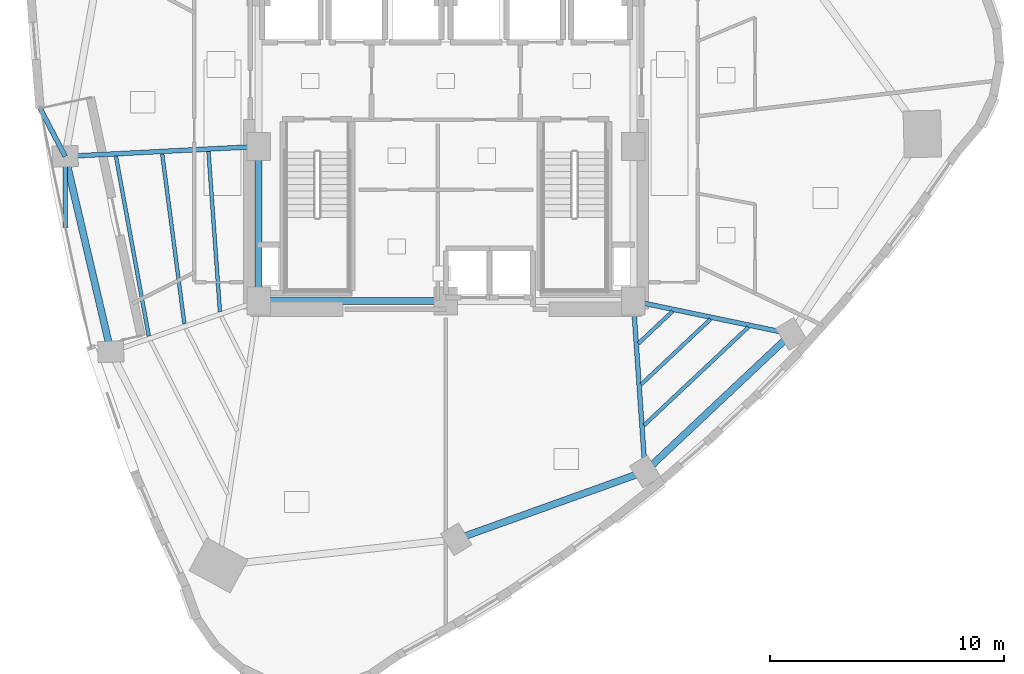
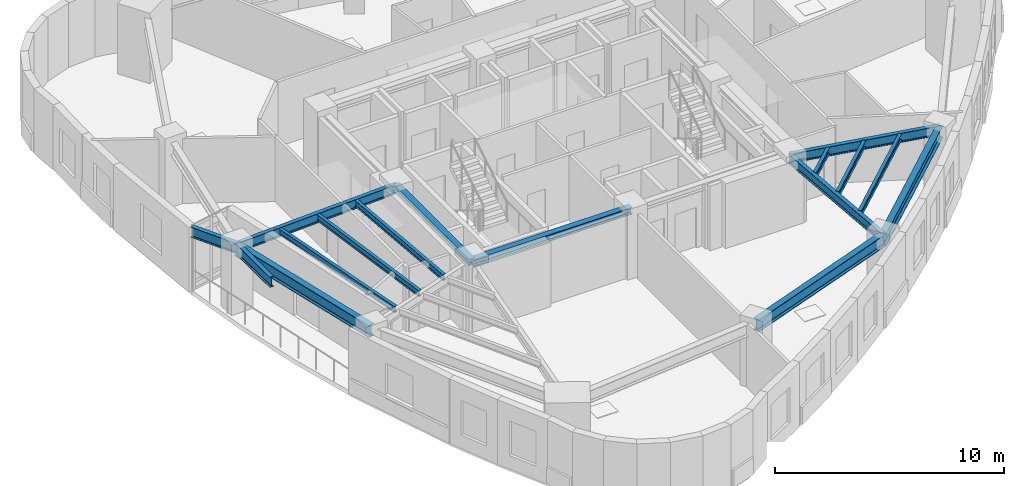
# One storey, part 3 of 12: 16 beams.
"""IFC4 building model written with IfcOpenShell, lengths in metres."""

import ifcopenshell
import ifcopenshell.guid

model = None  # the IFC model being written
_history = None  # IfcOwnerHistory: only IFC2X3 demands one
_inside = {}  # id of a spatial element -> (the spatial element, [elements in it])
_under = {}  # id of a project, library or spatial element -> (it, [spatial elements below it])
_declared = {}  # id of a project -> (the project, [libraries it declares])
_typed = {}  # id of a type object -> (the type object, [elements of that type])
_made_of = {}  # id of a material, layer set ... -> (it, [elements and type objects made of it])


def new_model(schema):
    """Start an empty IFC model of exactly this schema.

    Asked for "IFC4X3", IfcOpenShell would pick the latest addendum, in which some entities
    have other attributes; the version numbers below select the first issue.
    IFC2X3 requires an IfcOwnerHistory on every rooted entity: one is made here for all.
    """
    global model, _history
    if schema == "IFC4X3":
        model = ifcopenshell.file(schema_version=(4, 3, 0, 0))
    else:
        model = ifcopenshell.file(schema=schema)
    _inside.clear()
    _under.clear()
    _declared.clear()
    _typed.clear()
    _made_of.clear()
    _history = None
    if model.schema == "IFC2X3":
        org = make("IfcOrganization", Name="unknown")
        user = make(
            "IfcPersonAndOrganization",
            ThePerson=make("IfcPerson", FamilyName="unknown"),
            TheOrganization=org,
        )
        app = make(
            "IfcApplication",
            ApplicationDeveloper=org,
            Version="unknown",
            ApplicationFullName="unknown",
            ApplicationIdentifier="unknown",
        )
        _history = make(
            "IfcOwnerHistory",
            OwningUser=user,
            OwningApplication=app,
            ChangeAction="ADDED",
            CreationDate=0,
        )
    return model


def make(cls, **values):
    """One entity of the class cls with the attributes given. An attribute that is None is left unset."""
    return model.create_entity(
        cls, **{name: value for name, value in values.items() if value is not None}
    )


def rooted(cls, **values):
    """An entity with a GlobalId (a new one), such as an element, a storey or a relation."""
    return make(cls, GlobalId=ifcopenshell.guid.new(), OwnerHistory=_history, **values)


def si_unit(unit_type, name, prefix=None):
    """IfcSIUnit, for example si_unit("LENGTHUNIT", "METRE", prefix="MILLI")."""
    return make("IfcSIUnit", UnitType=unit_type, Prefix=prefix, Name=name)


def assignment(units):
    """IfcUnitAssignment: the units of a project."""
    return None if units is None else make("IfcUnitAssignment", Units=units)


def point(xyz):
    """IfcCartesianPoint."""
    return None if xyz is None else make("IfcCartesianPoint", Coordinates=xyz)


def direction(xyz):
    """IfcDirection."""
    return None if xyz is None else make("IfcDirection", DirectionRatios=xyz)


def frame(location, z_axis=None, x_axis=None):
    """IfcAxis2Placement3D, a coordinate frame: its origin and axes. An axis left out is left unset."""
    return make(
        "IfcAxis2Placement3D",
        Location=point(location),
        Axis=direction(z_axis),
        RefDirection=direction(x_axis),
    )


def frame_2d(location, x_axis=None):
    """IfcAxis2Placement2D, a coordinate frame in the plane: its origin and x axis."""
    return make(
        "IfcAxis2Placement2D", Location=point(location), RefDirection=direction(x_axis)
    )


def origin():
    """The frame at (0, 0, 0) with its axes left unset."""
    return frame((0.0, 0.0, 0.0))


def origin_2d():
    """The frame at (0, 0) in the plane with its x axis left unset."""
    return frame_2d((0.0, 0.0))


def place(relative_to, where):
    """IfcLocalPlacement: puts the frame where relative to a parent placement (None: the world)."""
    return make(
        "IfcLocalPlacement", PlacementRelTo=relative_to, RelativePlacement=where
    )


def context(
    kind, dimensions, precision=None, world=None, true_north=None, identifier=None
):
    """IfcGeometricRepresentationContext, for example the 3D "Model" context."""
    return make(
        "IfcGeometricRepresentationContext",
        ContextIdentifier=identifier,
        ContextType=kind,
        CoordinateSpaceDimension=dimensions,
        Precision=precision,
        WorldCoordinateSystem=world,
        TrueNorth=true_north,
    )


def subcontext(parent, identifier, kind, view, scale=None):
    """IfcGeometricRepresentationSubContext, for example "Body" below "Model"."""
    return make(
        "IfcGeometricRepresentationSubContext",
        ContextIdentifier=identifier,
        ContextType=kind,
        ParentContext=parent,
        TargetScale=scale,
        TargetView=view,
    )


def project(units=None, contexts=None):
    """IfcProject with its units and contexts."""
    return rooted(
        "IfcProject",
        Name="project",
        RepresentationContexts=contexts,
        UnitsInContext=assignment(units),
    )


def spatial(cls, under=None, at=None, **own):
    """A site, building, storey or space (cls), placed at a placement, below another one or the project."""
    s = rooted(cls, ObjectPlacement=at, **own)
    if under is not None:
        _under.setdefault(under.id(), (under, []))[1].append(s)
    return s


def profile(cls, at=None, kind="AREA", **sizes):
    """A parametric profile (cls). Its sizes go by their IFC names, for example OverallWidth=200.0."""
    return make(cls, ProfileType=kind, Position=at, **sizes)


def i_section(**sizes):
    """IfcIShapeProfileDef."""
    return profile("IfcIShapeProfileDef", **sizes)


def extrude(swept, where, along, depth):
    """IfcExtrudedAreaSolid: the profile swept, set in the frame where, extruded along a direction by depth."""
    return make(
        "IfcExtrudedAreaSolid",
        SweptArea=swept,
        Position=where,
        ExtrudedDirection=direction(along),
        Depth=depth,
    )


def shape(context_of_items, identifier, shape_type, items):
    """IfcShapeRepresentation: the items that make up one representation, for example the "Body"."""
    return make(
        "IfcShapeRepresentation",
        ContextOfItems=context_of_items,
        RepresentationIdentifier=identifier,
        RepresentationType=shape_type,
        Items=items,
    )


def material(Name=None, Category=None):
    """IfcMaterial."""
    return make("IfcMaterial", Name=Name, Category=Category)


def material_profile(
    of_material, cross_section, Name=None, Category=None, Priority=None
):
    """IfcMaterialProfile: a cross section and its material."""
    return make(
        "IfcMaterialProfile",
        Name=Name,
        Material=of_material,
        Profile=cross_section,
        Priority=Priority,
        Category=Category,
    )


def profile_set(profiles, Name=None, composite=None):
    """IfcMaterialProfileSet."""
    return make(
        "IfcMaterialProfileSet",
        Name=Name,
        MaterialProfiles=profiles,
        CompositeProfile=composite,
    )


def made_of(thing, what):
    """Note that an element or type object is made of a material, layer set ...; save() writes the relation."""
    if what is not None:
        _made_of.setdefault(what.id(), (what, []))[1].append(thing)
    return thing


def type_object(cls, material=None, **own):
    """A type object (cls), such as IfcWallType, which elements share."""
    return made_of(rooted(cls, **own), material)


def element(
    cls,
    number,
    at=None,
    inside=None,
    cuts=None,
    type_object=None,
    material=None,
    context=None,
    identifier="Body",
    shape_type=None,
    held_by="IfcProductDefinitionShape",
    body=None,
    shapes=None,
    **own,
):
    """One element of the class cls, such as IfcWall. Its Tag is "e" and its number.

    at: its placement. inside: the storey or other place that contains it. cuts: it is an
    opening in that element (IfcRelVoidsElement). A single representation is given by context,
    identifier, shape_type and body (its items); several are given by shapes. held_by: the class
    of the entity that holds the representations. save() writes the other relations.
    """
    e = rooted(cls, Tag="e%d" % number, ObjectPlacement=at, **own)
    if body is not None:
        shapes = [shape(context, identifier, shape_type, body)]
    if shapes is not None:
        e.Representation = make(held_by, Representations=shapes)
    if inside is not None:
        _inside.setdefault(inside.id(), (inside, []))[1].append(e)
    if cuts is not None:
        rooted(
            "IfcRelVoidsElement", RelatingBuildingElement=cuts, RelatedOpeningElement=e
        )
    if type_object is not None:
        _typed.setdefault(type_object.id(), (type_object, []))[1].append(e)
    return made_of(e, material)


def aggregate(whole, parts):
    """IfcRelAggregates: a whole, such as a stair, and the parts it consists of."""
    return rooted("IfcRelAggregates", RelatingObject=whole, RelatedObjects=parts)


def save(model, path):
    """Write the relations noted so far, then the file.

    IfcRelAggregates (storeys below a building ...), IfcRelContainedInSpatialStructure (elements
    in a storey), IfcRelDefinesByType, IfcRelAssociatesMaterial and IfcRelDeclares: one each for
    every whole, place, type object, material and project.
    """
    for whole, parts in _under.values():
        aggregate(whole, parts)
    for where, things in _inside.values():
        rooted(
            "IfcRelContainedInSpatialStructure",
            RelatedElements=things,
            RelatingStructure=where,
        )
    for kind, things in _typed.values():
        rooted("IfcRelDefinesByType", RelatedObjects=things, RelatingType=kind)
    for what, things in _made_of.values():
        rooted("IfcRelAssociatesMaterial", RelatedObjects=things, RelatingMaterial=what)
    for by, libraries in _declared.values():
        rooted("IfcRelDeclares", RelatingContext=by, RelatedDefinitions=libraries)
    model.write(path)


model = new_model("IFC4")

# Units and contexts
model_context = context("Model", 3, precision=1e-05, world=origin(), true_north=direction((0.0, 1.0)))
body_context = subcontext(model_context, "Body", "Model", "MODEL_VIEW")
ifc_project = project(units=[si_unit("LENGTHUNIT", "METRE"), si_unit("AREAUNIT", "SQUARE_METRE"), si_unit("VOLUMEUNIT", "CUBIC_METRE"), si_unit("PLANEANGLEUNIT", "RADIAN"), si_unit("MASSUNIT", "GRAM", prefix="KILO")], contexts=[model_context])

# Site, building, storey
site_placement = place(None, origin())
site = spatial("IfcSite", under=ifc_project, at=site_placement, CompositionType="ELEMENT")
building_placement = place(site_placement, origin())
building = spatial("IfcBuilding", under=site, at=building_placement, Name="Ndelora Gate Hotel", CompositionType="ELEMENT")
storey_placement = place(building_placement, frame((0.0, 0.0, 164.75)))
storey = spatial("IfcBuildingStorey", under=building, at=storey_placement, Name="L41", CompositionType="ELEMENT", Elevation=164.75)

# Beams
ifc_material = material(Name="Steel S355", Category="steel")
ifc_material_profile_1 = material_profile(ifc_material, i_section(OverallWidth=0.300048828125, OverallDepth=0.360107421875, WebThickness=0.012451171875, FlangeThickness=0.0224609375, FilletRadius=0.027099609375, at=origin_2d()), Name="HEB 360")
ifc_profile_set_1 = profile_set([ifc_material_profile_1], Name="Steel S355")
beam_type_1 = type_object("IfcBeamType", Name="BM-CORE-360", PredefinedType="BEAM", material=ifc_profile_set_1)
beam_1_placement = place(storey_placement, frame((-8.0, -6.60009765625, 3.260009765625), z_axis=(0.0, 1.0, 0.0), x_axis=(-1.0, 0.0, 0.0)))
element("IfcBeam", 1, at=beam_1_placement, inside=storey, type_object=beam_type_1, Name="L41 Core Tie Girder CC1-CC8", PredefinedType="BEAM", context=body_context, shape_type="SweptSolid", body=[
    extrude(i_section(OverallWidth=0.300048828125, OverallDepth=0.360107421875, WebThickness=0.012451171875, FlangeThickness=0.0224609375, FilletRadius=0.027099609375, at=origin_2d()), origin(), (0.0, 0.0, 1.0), 6.60009765625),
])
beam_2_placement = place(storey_placement, frame((-8.0, -6.60009765625, 3.260009765625), z_axis=(1.0, 0.0, 0.0), x_axis=(0.0, 1.0, 0.0)))
element("IfcBeam", 2, at=beam_2_placement, inside=storey, type_object=beam_type_1, Name="L41 Core Tie Girder CC1-CC2", PredefinedType="BEAM", context=body_context, shape_type="SweptSolid", body=[
    extrude(i_section(OverallWidth=0.300048828125, OverallDepth=0.360107421875, WebThickness=0.012451171875, FlangeThickness=0.0224609375, FilletRadius=0.027099609375, at=origin_2d()), origin(), (0.0, 0.0, 1.0), 8.0),
])
ifc_material_profile_2 = material_profile(ifc_material, i_section(OverallWidth=0.159912109375, OverallDepth=0.330078125, WebThickness=0.007568359375, FlangeThickness=0.011474609375, FilletRadius=0.01806640625, at=origin_2d()), Name="IPE 330")
ifc_profile_set_2 = profile_set([ifc_material_profile_2], Name="Steel S355")
beam_type_2 = type_object("IfcBeamType", Name="BM-JST-330", PredefinedType="JOIST", material=ifc_profile_set_2)
beam_3_placement = place(storey_placement, frame((-10.138427734375, -0.220458984375, 3.27490234375), z_axis=(0.07162945927, -0.997431311201, 0.0), x_axis=(0.997431311201, 0.07162945927, 0.0)))
element("IfcBeam", 3, at=beam_3_placement, inside=storey, type_object=beam_type_2, Name="L41 Secondary Composite Floor Joist IN-3", PredefinedType="JOIST", context=body_context, shape_type="SweptSolid", body=[
    extrude(i_section(OverallWidth=0.159912109375, OverallDepth=0.330078125, WebThickness=0.007568359375, FlangeThickness=0.011474609375, FilletRadius=0.01806640625, at=origin_2d()), origin(), (0.0, 0.0, 1.0), 6.850830078125),
])
beam_4_placement = place(storey_placement, frame((-12.113525390625, -0.322021484375, 3.27490234375), z_axis=(0.12927924943, -0.991608226906, 0.0), x_axis=(0.991608226906, 0.12927924943, 0.0)))
element("IfcBeam", 4, at=beam_4_placement, inside=storey, type_object=beam_type_2, Name="L41 Secondary Composite Floor Joist MID-3", PredefinedType="JOIST", context=body_context, shape_type="SweptSolid", body=[
    extrude(i_section(OverallWidth=0.159912109375, OverallDepth=0.330078125, WebThickness=0.007568359375, FlangeThickness=0.011474609375, FilletRadius=0.01806640625, at=origin_2d()), origin(), (0.0, 0.0, 1.0), 7.31396484375),
])
beam_5_placement = place(storey_placement, frame((-14.089111328125, -0.423095703125, 3.27490234375), z_axis=(0.179733770179, -0.983715290039, 0.0), x_axis=(0.983715290039, 0.179733770179, 0.0)))
element("IfcBeam", 5, at=beam_5_placement, inside=storey, type_object=beam_type_2, Name="L41 Secondary Composite Floor Joist OUT-3", PredefinedType="JOIST", context=body_context, shape_type="SweptSolid", body=[
    extrude(i_section(OverallWidth=0.159912109375, OverallDepth=0.330078125, WebThickness=0.007568359375, FlangeThickness=0.011474609375, FilletRadius=0.01806640625, at=origin_2d()), origin(), (0.0, 0.0, 1.0), 7.799560546875),
])
beam_6_placement = place(storey_placement, frame((8.211181640625, -8.4169921875, 3.27490234375), z_axis=(0.728414088998, 0.685137150466, 0.0), x_axis=(-0.685137150466, 0.728414088998, 0.0)))
element("IfcBeam", 6, at=beam_6_placement, inside=storey, type_object=beam_type_2, Name="L41 Secondary Composite Floor Joist IN-7", PredefinedType="JOIST", context=body_context, shape_type="SweptSolid", body=[
    extrude(i_section(OverallWidth=0.159912109375, OverallDepth=0.330078125, WebThickness=0.007568359375, FlangeThickness=0.011474609375, FilletRadius=0.01806640625, at=origin_2d()), origin(), (0.0, 0.0, 1.0), 2.00830078125),
])
beam_7_placement = place(storey_placement, frame((8.33251953125, -10.163818359375, 3.27490234375), z_axis=(0.728369245526, 0.685184823366, 0.0), x_axis=(-0.685184823366, 0.728369245526, 0.0)))
element("IfcBeam", 7, at=beam_7_placement, inside=storey, type_object=beam_type_2, Name="L41 Secondary Composite Floor Joist MID-7", PredefinedType="JOIST", context=body_context, shape_type="SweptSolid", body=[
    extrude(i_section(OverallWidth=0.159912109375, OverallDepth=0.330078125, WebThickness=0.007568359375, FlangeThickness=0.011474609375, FilletRadius=0.01806640625, at=origin_2d()), origin(), (0.0, 0.0, 1.0), 4.06494140625),
])
beam_8_placement = place(storey_placement, frame((8.45361328125, -11.910400390625, 3.27490234375), z_axis=(0.728393161111, 0.68515939959, 0.0), x_axis=(-0.68515939959, 0.728393161111, 0.0)))
element("IfcBeam", 8, at=beam_8_placement, inside=storey, type_object=beam_type_2, Name="L41 Secondary Composite Floor Joist OUT-7", PredefinedType="JOIST", context=body_context, shape_type="SweptSolid", body=[
    extrude(i_section(OverallWidth=0.159912109375, OverallDepth=0.330078125, WebThickness=0.007568359375, FlangeThickness=0.011474609375, FilletRadius=0.01806640625, at=origin_2d()), origin(), (0.0, 0.0, 1.0), 6.121337890625),
])
ifc_material_profile_3 = material_profile(ifc_material, i_section(OverallWidth=0.199951171875, OverallDepth=0.5, WebThickness=0.01025390625, FlangeThickness=0.01611328125, FilletRadius=0.02099609375, at=origin_2d()), Name="IPE 500")
ifc_profile_set_3 = profile_set([ifc_material_profile_3], Name="Steel S355")
beam_type_3 = type_object("IfcBeamType", Name="BM-RAD-500", PredefinedType="BEAM", material=ifc_profile_set_3)
beam_9_placement = place(storey_placement, frame((-8.0, 0.0, 3.18994140625), z_axis=(-0.998672591881, -0.051507807424, 0.0), x_axis=(0.051507807424, -0.998672591881, 0.0)))
element("IfcBeam", 9, at=beam_9_placement, inside=storey, type_object=beam_type_3, Name="L41 Radial Floor Girder 3", PredefinedType="BEAM", context=body_context, shape_type="SweptSolid", body=[
    extrude(i_section(OverallWidth=0.199951171875, OverallDepth=0.5, WebThickness=0.01025390625, FlangeThickness=0.01611328125, FilletRadius=0.02099609375, at=origin_2d()), origin(), (0.0, 0.0, 1.0), 8.266357421875),
])
beam_10_placement = place(storey_placement, frame((8.0, -6.60009765625, 3.18994140625), z_axis=(0.069137444551, -0.997607144001, 0.0), x_axis=(0.997607144001, 0.069137444551, 0.0)))
element("IfcBeam", 10, at=beam_10_placement, inside=storey, type_object=beam_type_3, Name="L41 Radial Floor Girder 7", PredefinedType="BEAM", context=body_context, shape_type="SweptSolid", body=[
    extrude(i_section(OverallWidth=0.199951171875, OverallDepth=0.5, WebThickness=0.01025390625, FlangeThickness=0.01611328125, FilletRadius=0.02099609375, at=origin_2d()), origin(), (0.0, 0.0, 1.0), 7.295654296875),
])
beam_11_placement = place(storey_placement, frame((8.0, -6.60009765625, 3.18994140625), z_axis=(0.978952706778, -0.204087231083, 0.0), x_axis=(0.204087231083, 0.978952706778, 0.0)))
element("IfcBeam", 11, at=beam_11_placement, inside=storey, type_object=beam_type_3, Name="L41 Radial Floor Girder 8", PredefinedType="BEAM", context=body_context, shape_type="SweptSolid", body=[
    extrude(i_section(OverallWidth=0.199951171875, OverallDepth=0.5, WebThickness=0.01025390625, FlangeThickness=0.01611328125, FilletRadius=0.02099609375, at=origin_2d()), origin(), (0.0, 0.0, 1.0), 6.8916015625),
])
ifc_material_profile_4 = material_profile(ifc_material, i_section(OverallWidth=0.2099609375, OverallDepth=0.550048828125, WebThickness=0.010986328125, FlangeThickness=0.01708984375, FilletRadius=0.02392578125, at=origin_2d()), Name="IPE 550")
ifc_profile_set_4 = profile_set([ifc_material_profile_4], Name="Steel S355")
beam_type_4 = type_object("IfcBeamType", Name="BM-RAD-550", PredefinedType="BEAM", material=ifc_profile_set_4)
beam_12_placement = place(storey_placement, frame((-16.25537109375, -0.42578125, 3.1650390625), z_axis=(-0.464199406395, 0.885730721553, 0.0), x_axis=(-0.885730721553, -0.464199406395, 0.0)))
element("IfcBeam", 12, at=beam_12_placement, inside=storey, type_object=beam_type_4, Name="L41 Sky-Garden Loggia Column Bracket 1", PredefinedType="BEAM", context=body_context, shape_type="SweptSolid", body=[
    extrude(i_section(OverallWidth=0.2099609375, OverallDepth=0.550048828125, WebThickness=0.010986328125, FlangeThickness=0.01708984375, FilletRadius=0.02392578125, at=origin_2d()), origin(), (0.0, 0.0, 1.0), 2.322998046875),
])
beam_13_placement = place(storey_placement, frame((-16.25537109375, -0.42578125, 3.1650390625), z_axis=(0.000967273447, -0.999999532191, 0.0), x_axis=(0.999999532191, 0.000967273447, 0.0)))
element("IfcBeam", 13, at=beam_13_placement, inside=storey, type_object=beam_type_4, Name="L41 Sky-Garden Loggia Column Bracket 2", PredefinedType="BEAM", context=body_context, shape_type="SweptSolid", body=[
    extrude(i_section(OverallWidth=0.2099609375, OverallDepth=0.550048828125, WebThickness=0.010986328125, FlangeThickness=0.01708984375, FilletRadius=0.02392578125, at=origin_2d()), origin(), (0.0, 0.0, 1.0), 3.02880859375),
])
ifc_material_profile_5 = material_profile(ifc_material, i_section(OverallWidth=0.300048828125, OverallDepth=0.64990234375, WebThickness=0.01611328125, FlangeThickness=0.031005859375, FilletRadius=0.027099609375, at=origin_2d()), Name="HEB 650")
ifc_profile_set_5 = profile_set([ifc_material_profile_5], Name="Steel S355")
beam_type_5 = type_object("IfcBeamType", Name="BM-RING-650", PredefinedType="SPANDREL", material=ifc_profile_set_5)
beam_14_placement = place(storey_placement, frame((-16.25537109375, -0.42578125, 3.114990234375), z_axis=(0.227404398157, -0.973800410607, 0.0), x_axis=(0.973800410607, 0.227404398157, 0.0)))
element("IfcBeam", 14, at=beam_14_placement, inside=storey, type_object=beam_type_5, Name="L41 Perimeter Spandrel Girder 3", PredefinedType="SPANDREL", context=body_context, shape_type="SweptSolid", body=[
    extrude(i_section(OverallWidth=0.300048828125, OverallDepth=0.64990234375, WebThickness=0.01611328125, FlangeThickness=0.031005859375, FilletRadius=0.027099609375, at=origin_2d()), origin(), (0.0, 0.0, 1.0), 8.566162109375),
])
beam_15_placement = place(storey_placement, frame((0.439208984375, -16.7744140625, 3.114990234375), z_axis=(0.941155870835, 0.337972819607, 0.0), x_axis=(-0.337972819607, 0.941155870835, 0.0)))
element("IfcBeam", 15, at=beam_15_placement, inside=storey, type_object=beam_type_5, Name="L41 Perimeter Spandrel Girder 6", PredefinedType="SPANDREL", context=body_context, shape_type="SweptSolid", body=[
    extrude(i_section(OverallWidth=0.300048828125, OverallDepth=0.64990234375, WebThickness=0.01611328125, FlangeThickness=0.031005859375, FilletRadius=0.027099609375, at=origin_2d()), origin(), (0.0, 0.0, 1.0), 8.5693359375),
])
beam_16_placement = place(storey_placement, frame((8.50439453125, -13.878173828125, 3.114990234375), z_axis=(0.728399016952, 0.68515317419, 0.0), x_axis=(-0.68515317419, 0.728399016952, 0.0)))
element("IfcBeam", 16, at=beam_16_placement, inside=storey, type_object=beam_type_5, Name="L41 Perimeter Spandrel Girder 7", PredefinedType="SPANDREL", context=body_context, shape_type="SweptSolid", body=[
    extrude(i_section(OverallWidth=0.300048828125, OverallDepth=0.64990234375, WebThickness=0.01611328125, FlangeThickness=0.031005859375, FilletRadius=0.027099609375, at=origin_2d()), origin(), (0.0, 0.0, 1.0), 8.56982421875),
])

save(model, "model.ifc")
